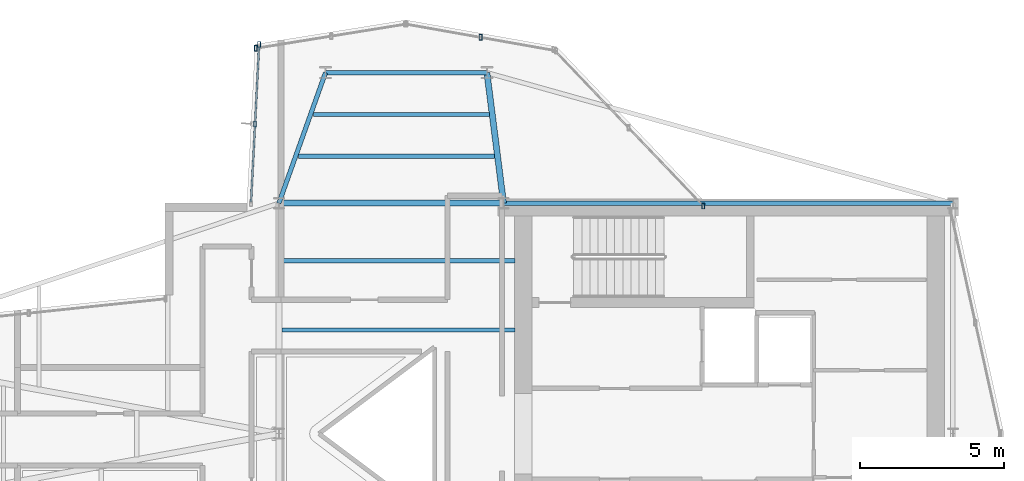
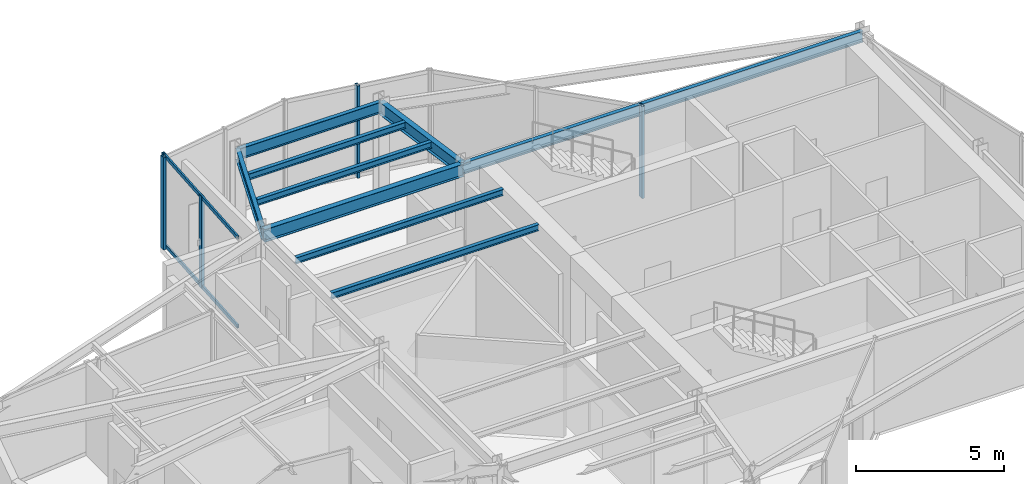
# One storey, part 5 of 14: 9 beams, 7 members, 4 elements without a shape of their own.
"""IFC4 building model written with IfcOpenShell, lengths in metres."""

from ifc_helpers import new_model, si_unit, direction, frame, origin, origin_2d, place, context, subcontext, project, spatial, hollow_rectangle, i_section, extrude, material, layer, layer_set, material_profile, profile_set, type_object, element, aggregate, save


model = new_model("IFC4")

# Units and contexts
model_context = context("Model", 3, precision=1e-05, world=origin(), true_north=direction((0.0, 1.0)))
body_context = subcontext(model_context, "Body", "Model", "MODEL_VIEW")
ifc_project = project(units=[si_unit("LENGTHUNIT", "METRE"), si_unit("AREAUNIT", "SQUARE_METRE"), si_unit("VOLUMEUNIT", "CUBIC_METRE"), si_unit("PLANEANGLEUNIT", "RADIAN"), si_unit("MASSUNIT", "GRAM", prefix="KILO")], contexts=[model_context])

# Site, building, storey
site_placement = place(None, origin())
site = spatial("IfcSite", under=ifc_project, at=site_placement, CompositionType="ELEMENT")
building_placement = place(site_placement, origin())
building = spatial("IfcBuilding", under=site, at=building_placement, Name="Veymaron Broadcast Tower", CompositionType="ELEMENT")
storey_placement = place(building_placement, frame((0.0, 0.0, 295.199951171875)))
storey = spatial("IfcBuildingStorey", under=building, at=storey_placement, Name="L69", CompositionType="ELEMENT", Elevation=295.199951171875)

# Beams
ifc_material_1 = material(Name="Structural steel ASTM A992 Gr 50", Category="steel")
ifc_material_profile_1 = material_profile(ifc_material_1, i_section(OverallWidth=0.208984375, OverallDepth=0.528076171875, WebThickness=0.009521484375, FlangeThickness=0.01318359375, at=origin_2d()), Name="W530X82")
ifc_profile_set_1 = profile_set([ifc_material_profile_1], Name="Structural steel ASTM A992 Gr 50")
beam_type_1 = type_object("IfcBeamType", Name="BM-FG4", PredefinedType="BEAM", material=ifc_profile_set_1)
beam_1_placement = place(storey_placement, frame((31.199951171875, 32.0, 3.546142578125), z_axis=(1.0, 0.0, 0.0), x_axis=(0.0, 1.0, 0.0)))
element("IfcBeam", 1, at=beam_1_placement, inside=storey, type_object=beam_type_1, Name="L69 primary structural floor girder", PredefinedType="BEAM", context=body_context, shape_type="SweptSolid", body=[
    extrude(i_section(OverallWidth=0.208984375, OverallDepth=0.528076171875, WebThickness=0.009521484375, FlangeThickness=0.01318359375, at=origin_2d()), origin(), (0.0, 0.0, 1.0), 7.800048828125),
])
beam_2_placement = place(storey_placement, frame((39.0, 32.0, 3.546142578125), z_axis=(-0.126487567317, 0.991968192693, 0.0), x_axis=(-0.991968192693, -0.126487567317, 0.0)))
element("IfcBeam", 2, at=beam_2_placement, inside=storey, type_object=beam_type_1, Name="L69 primary structural floor girder", PredefinedType="BEAM", context=body_context, shape_type="SweptSolid", body=[
    extrude(i_section(OverallWidth=0.208984375, OverallDepth=0.528076171875, WebThickness=0.009521484375, FlangeThickness=0.01318359375, at=origin_2d()), origin(), (0.0, 0.0, 1.0), 4.568603515625),
])
ifc_material_profile_2 = material_profile(ifc_material_1, i_section(OverallWidth=0.14599609375, OverallDepth=0.258056640625, WebThickness=0.006103515625, FlangeThickness=0.009033203125, at=origin_2d()), Name="W250X33")
ifc_profile_set_2 = profile_set([ifc_material_profile_2], Name="Structural steel ASTM A992 Gr 50")
beam_type_2 = type_object("IfcBeamType", Name="BM-JS4", PredefinedType="JOIST", material=ifc_profile_set_2)
beam_3_placement = place(storey_placement, frame((31.882568359375, 33.631591796875, 3.68115234375), z_axis=(1.0, 0.0, 0.0), x_axis=(0.0, 1.0, 0.0)))
element("IfcBeam", 3, at=beam_3_placement, inside=storey, type_object=beam_type_2, Name="L69 Arm-B secondary joist 1", PredefinedType="JOIST", context=body_context, shape_type="SweptSolid", body=[
    extrude(i_section(OverallWidth=0.14599609375, OverallDepth=0.258056640625, WebThickness=0.006103515625, FlangeThickness=0.009033203125, at=origin_2d()), origin(), (0.0, 0.0, 1.0), 6.809326171875),
])
beam_4_placement = place(storey_placement, frame((32.400390625, 35.081787109375, 3.68115234375), z_axis=(1.0, 0.0, 0.0), x_axis=(0.0, 1.0, 0.0)))
element("IfcBeam", 4, at=beam_4_placement, inside=storey, type_object=beam_type_2, Name="L69 Arm-B secondary joist 2", PredefinedType="JOIST", context=body_context, shape_type="SweptSolid", body=[
    extrude(i_section(OverallWidth=0.14599609375, OverallDepth=0.258056640625, WebThickness=0.006103515625, FlangeThickness=0.009033203125, at=origin_2d()), origin(), (0.0, 0.0, 1.0), 6.106689453125),
])
for number, where, z_axis, x_axis, name in (
    (5, (31.300048828125, 27.60009765625, 3.68115234375), (1.0, 0.0, 0.0), (0.0, 1.0, 0.0), "L69 Hub secondary joist 3"),
    (6, (31.300048828125, 30.0, 3.68115234375), (1.0, 0.0, 0.0), (0.0, 1.0, 0.0), "L69 Hub secondary joist 4"),
):
    element("IfcBeam", number, at=place(storey_placement, frame(where, z_axis=z_axis, x_axis=x_axis)), inside=storey, type_object=beam_type_2, Name=name, PredefinedType="JOIST", context=body_context, shape_type="SweptSolid", body=[
        extrude(i_section(OverallWidth=0.14599609375, OverallDepth=0.258056640625, WebThickness=0.006103515625, FlangeThickness=0.009033203125, at=origin_2d()), origin(), (0.0, 0.0, 1.0), 8.099853515625),
    ])
ifc_material_profile_3 = material_profile(ifc_material_1, i_section(OverallWidth=0.154052734375, OverallDepth=0.458984375, WebThickness=0.009033203125, FlangeThickness=0.015380859375, at=origin_2d()), Name="W460X68")
ifc_profile_set_3 = profile_set([ifc_material_profile_3], Name="Structural steel ASTM A992 Gr 50")
beam_type_3 = type_object("IfcBeamType", Name="BM-SP2", PredefinedType="SPANDREL", material=ifc_profile_set_3)
beam_5_placement = place(storey_placement, frame((39.0, 32.0, 3.58056640625), z_axis=(1.0, 0.0, 0.0), x_axis=(0.0, 1.0, 0.0)))
element("IfcBeam", 7, at=beam_5_placement, inside=storey, type_object=beam_type_3, Name="L69 primary structural floor girder", PredefinedType="SPANDREL", context=body_context, shape_type="SweptSolid", body=[
    extrude(i_section(OverallWidth=0.154052734375, OverallDepth=0.458984375, WebThickness=0.009033203125, FlangeThickness=0.015380859375, at=origin_2d()), origin(), (0.0, 0.0, 1.0), 15.60009765625),
])
beam_6_placement = place(storey_placement, frame((31.199951171875, 32.0, 3.58056640625), z_axis=(0.336307472279, 0.941752241351, 0.0), x_axis=(-0.941752241351, 0.336307472279, 0.0)))
element("IfcBeam", 8, at=beam_6_placement, inside=storey, type_object=beam_type_3, Name="L69 primary structural floor girder", PredefinedType="SPANDREL", context=body_context, shape_type="SweptSolid", body=[
    extrude(i_section(OverallWidth=0.154052734375, OverallDepth=0.458984375, WebThickness=0.009033203125, FlangeThickness=0.015380859375, at=origin_2d()), origin(), (0.0, 0.0, 1.0), 4.812255859375),
])
beam_7_placement = place(storey_placement, frame((32.818359375, 36.531982421875, 3.58056640625), z_axis=(1.0, 0.0, 0.0), x_axis=(0.0, 1.0, 0.0)))
element("IfcBeam", 9, at=beam_7_placement, inside=storey, type_object=beam_type_3, Name="L69 primary structural floor girder", PredefinedType="SPANDREL", context=body_context, shape_type="SweptSolid", body=[
    extrude(i_section(OverallWidth=0.154052734375, OverallDepth=0.458984375, WebThickness=0.009033203125, FlangeThickness=0.015380859375, at=origin_2d()), origin(), (0.0, 0.0, 1.0), 5.603759765625),
])

# Curtain wall, member
ifc_material_2 = material(Name="Anodised aluminium AA 6063-T6 and laminated low-E dark glass", Category="aluminium")
ifc_layer = layer(ifc_material_2, 0.179931640625)
ifc_layer_set = layer_set([ifc_layer], Name="Anodised aluminium AA 6063-T6 and laminated low-E dark glass")
curtain_wall_type = type_object("IfcCurtainWallType", Name="CW-SYS-06", PredefinedType="NOTDEFINED", material=ifc_layer_set)
curtain_wall_1_placement = place(storey_placement, origin())
curtain_wall_1 = element("IfcCurtainWall", 10, at=curtain_wall_1_placement, inside=storey, type_object=curtain_wall_type, Name="L69 dark-glass curtain wall CW-L69-E5-1", PredefinedType="NOTDEFINED")
ifc_material_3 = material(Name="Anodised aluminium AA 6063-T6", Category="aluminium")
ifc_material_profile_4 = material_profile(ifc_material_3, hollow_rectangle(XDim=0.10009765625, YDim=0.199951171875, WallThickness=0.010009765625, at=origin_2d()), Name="RHS200X100X10")
ifc_profile_set_4 = profile_set([ifc_material_profile_4], Name="Anodised aluminium AA 6063-T6")
member_type_1 = type_object("IfcMemberType", Name="CW-MUL-01", PredefinedType="MULLION", material=ifc_profile_set_4)
member_1_placement = place(storey_placement, frame((45.934326171875, 31.9033203125, 0.0), z_axis=(0.0, 0.0, 1.0), x_axis=(1.0, 0.0, 0.0)))
member_1 = element("IfcMember", 11, at=member_1_placement, type_object=member_type_1, Name="CW-L69-E5-1 mullion 0", PredefinedType="MULLION", context=body_context, shape_type="SweptSolid", body=[
    extrude(hollow_rectangle(XDim=0.10009765625, YDim=0.199951171875, WallThickness=0.010009765625, at=origin_2d()), origin(), (0.0, 0.0, 1.0), 3.81005859375),
])
aggregate(curtain_wall_1, [member_1])

curtain_wall_2_placement = place(storey_placement, origin())
curtain_wall_2 = element("IfcCurtainWall", 12, at=curtain_wall_2_placement, inside=storey, type_object=curtain_wall_type, Name="L69 dark-glass curtain wall CW-L69-E6-1", PredefinedType="NOTDEFINED")
member_2_placement = place(storey_placement, frame((38.2021484375, 37.75927734375, 0.0), z_axis=(0.0, 0.0, 1.0), x_axis=(1.0, 0.0, 0.0)))
member_2 = element("IfcMember", 13, at=member_2_placement, type_object=member_type_1, Name="CW-L69-E6-1 mullion 1", PredefinedType="MULLION", context=body_context, shape_type="SweptSolid", body=[
    extrude(hollow_rectangle(XDim=0.10009765625, YDim=0.199951171875, WallThickness=0.010009765625, at=origin_2d()), origin(), (0.0, 0.0, 1.0), 3.81005859375),
])
aggregate(curtain_wall_2, [member_2])

curtain_wall_3_placement = place(storey_placement, origin())
curtain_wall_3 = element("IfcCurtainWall", 14, at=curtain_wall_3_placement, inside=storey, type_object=curtain_wall_type, Name="L69 dark-glass curtain wall CW-L69-E7-1", PredefinedType="NOTDEFINED")
member_3_placement = place(storey_placement, frame((30.396728515625, 37.37890625, 0.0), z_axis=(0.0, 0.0, 1.0), x_axis=(1.0, 0.0, 0.0)))
member_3 = element("IfcMember", 15, at=member_3_placement, type_object=member_type_1, Name="CW-L69-E7-1 mullion 2", PredefinedType="MULLION", context=body_context, shape_type="SweptSolid", body=[
    extrude(hollow_rectangle(XDim=0.10009765625, YDim=0.199951171875, WallThickness=0.010009765625, at=origin_2d()), origin(), (0.0, 0.0, 1.0), 3.81005859375),
])
aggregate(curtain_wall_3, [member_3])

# Curtain wall, members
curtain_wall_4_placement = place(storey_placement, origin())
curtain_wall_4 = element("IfcCurtainWall", 16, at=curtain_wall_4_placement, inside=storey, type_object=curtain_wall_type, Name="L69 dark-glass curtain wall CW-L69-E8-1", PredefinedType="NOTDEFINED")
member_4_placement = place(storey_placement, frame((30.514404296875, 37.510009765625, 0.0), z_axis=(0.0, 0.0, 1.0), x_axis=(1.0, 0.0, 0.0)))
member_4 = element("IfcMember", 17, at=member_4_placement, type_object=member_type_1, Name="CW-L69-E8-1 mullion 0", PredefinedType="MULLION", context=body_context, shape_type="SweptSolid", body=[
    extrude(hollow_rectangle(XDim=0.10009765625, YDim=0.199951171875, WallThickness=0.010009765625, at=origin_2d()), origin(), (0.0, 0.0, 1.0), 3.81005859375),
])
member_5_placement = place(storey_placement, frame((30.372314453125, 34.75146484375, 0.0), z_axis=(0.0, 0.0, 1.0), x_axis=(1.0, 0.0, 0.0)))
member_5 = element("IfcMember", 18, at=member_5_placement, type_object=member_type_1, Name="CW-L69-E8-1 mullion 1", PredefinedType="MULLION", context=body_context, shape_type="SweptSolid", body=[
    extrude(hollow_rectangle(XDim=0.10009765625, YDim=0.199951171875, WallThickness=0.010009765625, at=origin_2d()), origin(), (0.0, 0.0, 1.0), 3.81005859375),
])
ifc_material_profile_5 = material_profile(ifc_material_3, hollow_rectangle(XDim=0.06494140625, YDim=0.14990234375, WallThickness=0.00390625, at=origin_2d()), Name="AL150X65X4")
ifc_profile_set_5 = profile_set([ifc_material_profile_5], Name="Anodised aluminium AA 6063-T6")
member_type_2 = type_object("IfcMemberType", Name="CW-TRN-01", PredefinedType="USERDEFINED", material=ifc_profile_set_5)
member_6_placement = place(storey_placement, frame((30.51171875, 37.460205078125, 0.070068359375), z_axis=(-0.051351716948, -0.998680630215, 0.0), x_axis=(0.998680630215, -0.051351716948, 0.0)))
member_6 = element("IfcMember", 19, at=member_6_placement, type_object=member_type_2, Name="CW-L69-E8-1 transom B", ObjectType="TRANSOM", PredefinedType="USERDEFINED", context=body_context, shape_type="SweptSolid", body=[
    extrude(hollow_rectangle(XDim=0.06494140625, YDim=0.14990234375, WallThickness=0.00390625, at=origin_2d()), origin(), (0.0, 0.0, 1.0), 5.424560546875),
])
member_7_placement = place(storey_placement, frame((30.51171875, 37.460205078125, 3.739990234375), z_axis=(-0.051351716948, -0.998680630215, 0.0), x_axis=(0.998680630215, -0.051351716948, 0.0)))
member_7 = element("IfcMember", 20, at=member_7_placement, type_object=member_type_2, Name="CW-L69-E8-1 transom T", ObjectType="TRANSOM", PredefinedType="USERDEFINED", context=body_context, shape_type="SweptSolid", body=[
    extrude(hollow_rectangle(XDim=0.06494140625, YDim=0.14990234375, WallThickness=0.00390625, at=origin_2d()), origin(), (0.0, 0.0, 1.0), 5.424560546875),
])
aggregate(curtain_wall_4, [member_4, member_5, member_6, member_7])

save(model, "model.ifc")
